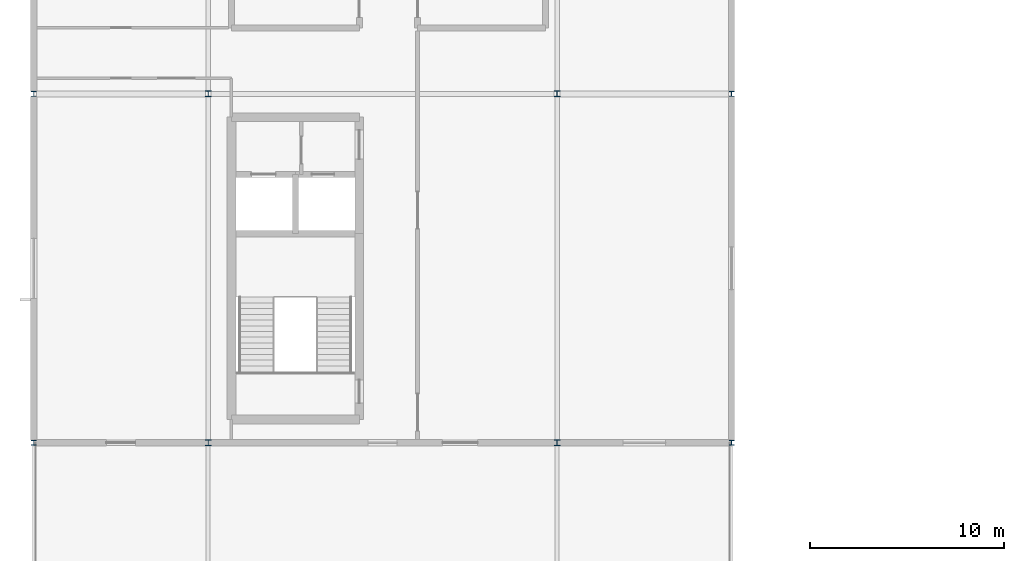
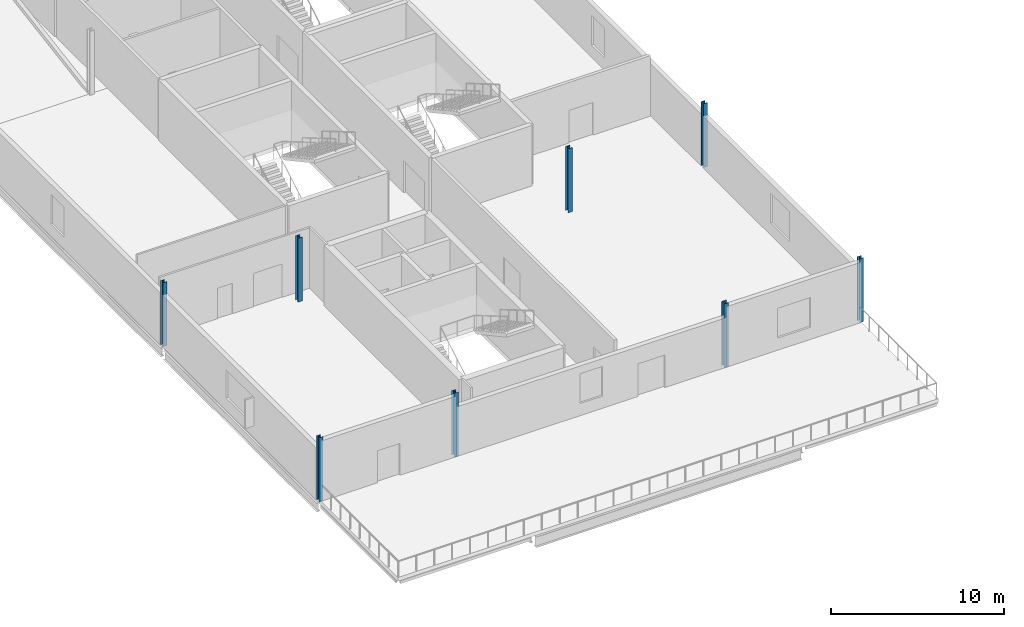
# One storey, part 1 of 28: 8 columns.
"""IFC4 building model written with IfcOpenShell, lengths in metres."""

from ifc_helpers import new_model, si_unit, direction, frame, origin, origin_2d, place, context, subcontext, project, spatial, i_section, extrude, material, material_profile, profile_set, type_object, element, save


model = new_model("IFC4")

# Units and contexts
model_context = context("Model", 3, precision=1e-05, world=origin(), true_north=direction((0.0, 1.0)))
body_context = subcontext(model_context, "Body", "Model", "MODEL_VIEW")
ifc_project = project(units=[si_unit("LENGTHUNIT", "METRE"), si_unit("AREAUNIT", "SQUARE_METRE"), si_unit("VOLUMEUNIT", "CUBIC_METRE"), si_unit("PLANEANGLEUNIT", "RADIAN"), si_unit("MASSUNIT", "GRAM", prefix="KILO")], contexts=[model_context])

# Site, building, storey
site_placement = place(None, origin())
site = spatial("IfcSite", under=ifc_project, at=site_placement, CompositionType="ELEMENT")
building_placement = place(site_placement, origin())
building = spatial("IfcBuilding", under=site, at=building_placement, Name="Kisiwana Market Hall", CompositionType="ELEMENT")
storey_placement = place(building_placement, frame((0.0, 0.0, 49.5)))
storey = spatial("IfcBuildingStorey", under=building, at=storey_placement, Name="L11", CompositionType="ELEMENT", Elevation=49.5)

# Columns
ifc_material_1 = material(Name="Steel S355", Category="steel")
ifc_material_profile_1 = material_profile(ifc_material_1, i_section(OverallWidth=0.300048828125, OverallDepth=0.300048828125, WebThickness=0.010986328125, FlangeThickness=0.01904296875, FilletRadius=0.027099609375, at=origin_2d()), Name="HEB 300")
ifc_profile_set_1 = profile_set([ifc_material_profile_1], Name="Steel S355")
column_type_1 = type_object("IfcColumnType", Name="COL-STL-HEB300", PredefinedType="COLUMN", material=ifc_profile_set_1)
for number, where, z_axis, x_axis, name in (
    (1, (9.0, 18.0, 0.0), (0.0, 0.0, 1.0), (1.0, 0.0, 0.0), "Column C/2 (L11) C-1327"),
    (2, (9.0, 36.0, 0.0), (0.0, 0.0, 1.0), (1.0, 0.0, 0.0), "Column E/2 (L11) C-1328"),
    (3, (27.0, 18.0, 0.0), (0.0, 0.0, 1.0), (1.0, 0.0, 0.0), "Column C/4 (L11) C-1331"),
    (4, (27.0, 36.0, 0.0), (0.0, 0.0, 1.0), (1.0, 0.0, 0.0), "Column E/4 (L11) C-1332"),
):
    element("IfcColumn", number, at=place(storey_placement, frame(where, z_axis=z_axis, x_axis=x_axis)), inside=storey, type_object=column_type_1, Name=name, PredefinedType="COLUMN", context=body_context, shape_type="SweptSolid", body=[
        extrude(i_section(OverallWidth=0.300048828125, OverallDepth=0.300048828125, WebThickness=0.010986328125, FlangeThickness=0.01904296875, FilletRadius=0.027099609375, at=origin_2d()), origin(), (0.0, 0.0, 1.0), 4.5),
    ])
ifc_material_2 = material(Name="Steel S355", Category="steel")
ifc_material_profile_2 = material_profile(ifc_material_2, i_section(OverallWidth=0.2587890625, OverallDepth=0.2666015625, WebThickness=0.0126953125, FlangeThickness=0.0205078125, at=origin_2d()), Name="UC 254x254x107")
ifc_profile_set_2 = profile_set([ifc_material_profile_2], Name="Steel S355")
column_type_2 = type_object("IfcColumnType", Name="COL-STL-UC107", PredefinedType="COLUMN", material=ifc_profile_set_2)
for number, where, z_axis, x_axis, name in (
    (5, (0.0, 18.0, 0.0), (0.0, 0.0, 1.0), (1.0, 0.0, 0.0), "Column C/1 (L11) C-1322"),
    (6, (0.0, 36.0, 0.0), (0.0, 0.0, 1.0), (1.0, 0.0, 0.0), "Column E/1 (L11) C-1323"),
    (7, (36.0, 18.0, 0.0), (0.0, 0.0, 1.0), (1.0, 0.0, 0.0), "Column C/5 (L11) C-1336"),
    (8, (36.0, 36.0, 0.0), (0.0, 0.0, 1.0), (1.0, 0.0, 0.0), "Column E/5 (L11) C-1337"),
):
    element("IfcColumn", number, at=place(storey_placement, frame(where, z_axis=z_axis, x_axis=x_axis)), inside=storey, type_object=column_type_2, Name=name, PredefinedType="COLUMN", context=body_context, shape_type="SweptSolid", body=[
        extrude(i_section(OverallWidth=0.2587890625, OverallDepth=0.2666015625, WebThickness=0.0126953125, FlangeThickness=0.0205078125, at=origin_2d()), origin(), (0.0, 0.0, 1.0), 4.5),
    ])

save(model, "model.ifc")
